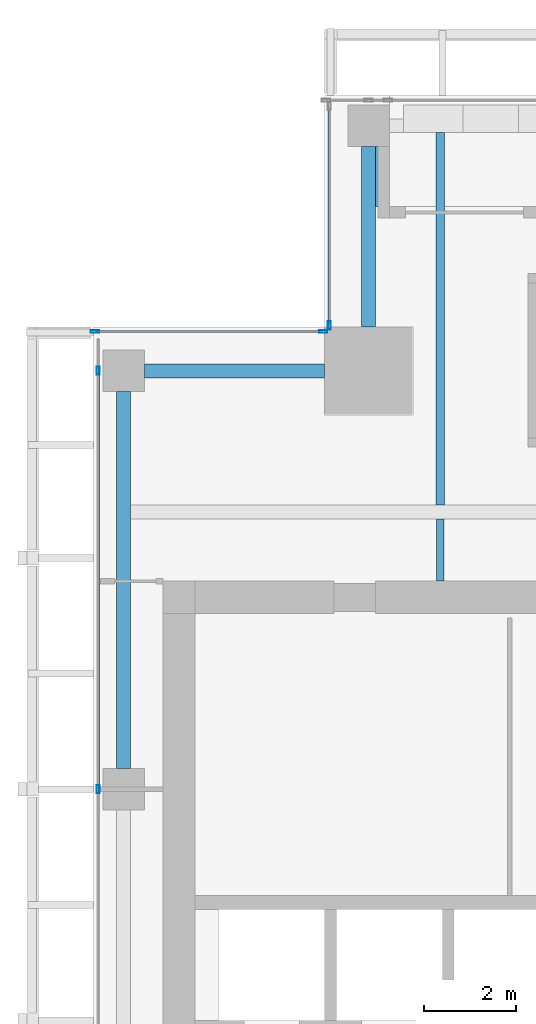
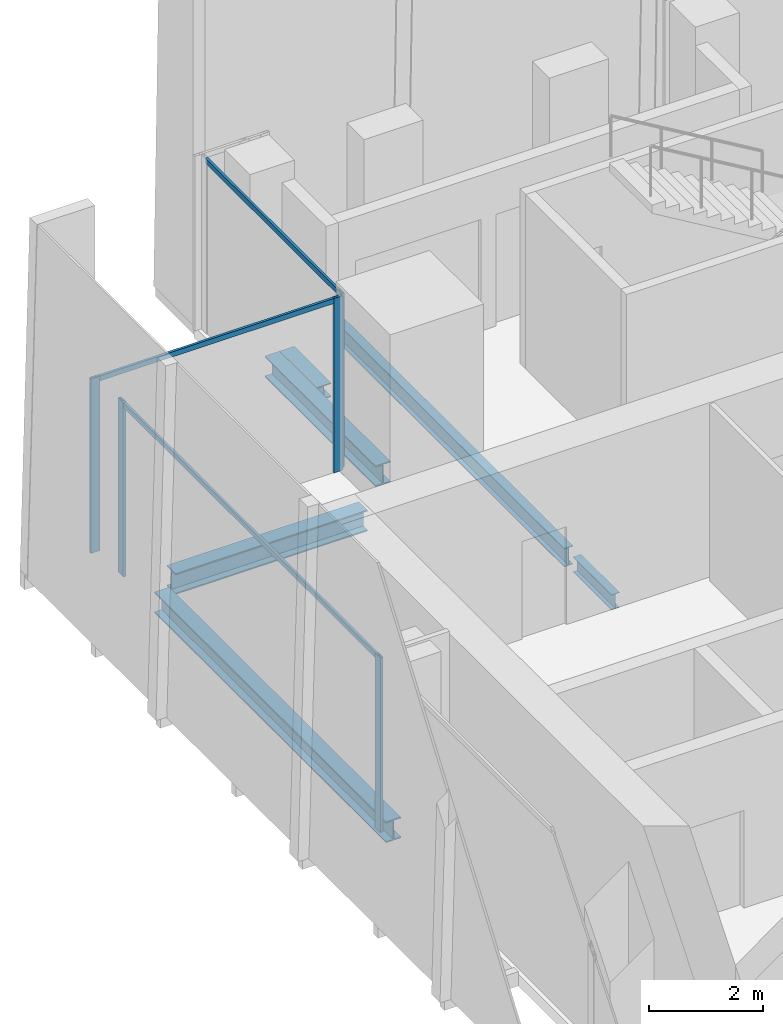
# One storey, part 14 of 35: 8 members, 6 beams, 3 elements without a shape of their own.
"""IFC4 building model written with IfcOpenShell, lengths in metres."""

from ifc_helpers import new_model, si_unit, direction, frame, origin, origin_2d, place, context, subcontext, project, spatial, hollow_rectangle, i_section, extrude, source, transform, mapped, material, material_profile, profile_set, type_object, element, aggregate, save


model = new_model("IFC4")

# Units and contexts
model_context = context("Model", 3, precision=1e-05, world=origin(), true_north=direction((0.0, 1.0)))
body_context = subcontext(model_context, "Body", "Model", "MODEL_VIEW")
ifc_project = project(units=[si_unit("LENGTHUNIT", "METRE"), si_unit("AREAUNIT", "SQUARE_METRE"), si_unit("VOLUMEUNIT", "CUBIC_METRE"), si_unit("PLANEANGLEUNIT", "RADIAN"), si_unit("MASSUNIT", "GRAM", prefix="KILO")], contexts=[model_context])

# Site, building, storey
site_placement = place(None, origin())
site = spatial("IfcSite", under=ifc_project, at=site_placement, CompositionType="ELEMENT")
building_placement = place(site_placement, origin())
building = spatial("IfcBuilding", under=site, at=building_placement, Name="Khomas Fold Tower", CompositionType="ELEMENT")
storey_placement = place(building_placement, frame((0.0, 0.0, 266.199951171875)))
storey = spatial("IfcBuildingStorey", under=building, at=storey_placement, Name="L60", CompositionType="ELEMENT", Elevation=266.199951171875)

# Beams
ifc_material_1 = material(Name="Steel S355", Category="steel")
ifc_material_profile_1 = material_profile(ifc_material_1, i_section(OverallWidth=0.159912109375, OverallDepth=0.330078125, WebThickness=0.007568359375, FlangeThickness=0.011474609375, at=origin_2d()), Name="IPE 330")
ifc_profile_set_1 = profile_set([ifc_material_profile_1], Name="Steel S355")
beam_type_1 = type_object("IfcBeamType", Name="IPE 330 beam JB1", PredefinedType="BEAM", material=ifc_profile_set_1)
shared_shape_1 = source(origin(), body_context, "Body", "SweptSolid", [
    extrude(i_section(OverallWidth=0.159912109375, OverallDepth=0.330078125, WebThickness=0.007568359375, FlangeThickness=0.011474609375, at=origin_2d()), origin(), (0.0, 0.0, 1.0), 1.35009765625),
])
beam_1_placement = place(storey_placement, frame((12.0, 39.0, -0.4150390625), z_axis=(0.0, 1.0, 0.0), x_axis=(-1.0, 0.0, 0.0)))
element("IfcBeam", 1, at=beam_1_placement, inside=storey, type_object=beam_type_1, Name="JB1", PredefinedType="BEAM", context=body_context, shape_type="MappedRepresentation", body=[
    mapped(shared_shape_1, transform((0.0, 0.0, 0.0))),
])
ifc_material_2 = material(Name="Steel S355", Category="steel")
ifc_material_profile_2 = material_profile(ifc_material_2, i_section(OverallWidth=0.300048828125, OverallDepth=0.449951171875, WebThickness=0.013916015625, FlangeThickness=0.02587890625, at=origin_2d()), Name="HE 450 B")
ifc_profile_set_2 = profile_set([ifc_material_profile_2], Name="Steel S355")
beam_type_2 = type_object("IfcBeamType", Name="HE 450 B spandrel SB4", PredefinedType="SPANDREL", material=ifc_profile_set_2)
shared_shape_2 = source(origin(), body_context, "Body", "SweptSolid", [
    extrude(i_section(OverallWidth=0.300048828125, OverallDepth=0.449951171875, WebThickness=0.013916015625, FlangeThickness=0.02587890625, at=origin_2d()), origin(), (0.0, 0.0, 1.0), 8.150146484375),
])
beam_2_placement = place(storey_placement, frame((5.14990234375, 34.949951171875, -0.474853515625), z_axis=(0.0, 1.0, 0.0), x_axis=(-1.0, 0.0, 0.0)))
element("IfcBeam", 2, at=beam_2_placement, inside=storey, type_object=beam_type_2, Name="SB4", PredefinedType="SPANDREL", context=body_context, shape_type="MappedRepresentation", body=[
    mapped(shared_shape_2, transform((0.0, 0.0, 0.0))),
])
shared_shape_3 = source(origin(), body_context, "Body", "SweptSolid", [
    extrude(i_section(OverallWidth=0.300048828125, OverallDepth=0.449951171875, WebThickness=0.013916015625, FlangeThickness=0.02587890625, at=origin_2d()), origin(), (0.0, 0.0, 1.0), 3.89990234375),
])
for number, where, z_axis, x_axis, name in (
    (3, (10.449951171875, 44.5, -0.474853515625), (0.0, 1.0, 0.0), (-1.0, 0.0, 0.0), "SB4"),
    (4, (5.60009765625, 43.550048828125, -0.474853515625), (1.0, 0.0, 0.0), (0.0, 1.0, 0.0), "SB4"),
):
    element("IfcBeam", number, at=place(storey_placement, frame(where, z_axis=z_axis, x_axis=x_axis)), inside=storey, type_object=beam_type_2, Name=name, PredefinedType="SPANDREL", context=body_context, shape_type="MappedRepresentation", body=[
        mapped(shared_shape_3, transform((0.0, 0.0, 0.0))),
    ])
ifc_material_3 = material(Name="Steel S355", Category="steel")
ifc_material_profile_3 = material_profile(ifc_material_3, i_section(OverallWidth=0.179931640625, OverallDepth=0.39990234375, WebThickness=0.008544921875, FlangeThickness=0.013427734375, at=origin_2d()), Name="IPE 400")
ifc_profile_set_3 = profile_set([ifc_material_profile_3], Name="Steel S355")
beam_type_3 = type_object("IfcBeamType", Name="IPE 400 beam JB3", PredefinedType="BEAM", material=ifc_profile_set_3)
shared_shape_4 = source(origin(), body_context, "Body", "SweptSolid", [
    extrude(i_section(OverallWidth=0.179931640625, OverallDepth=0.39990234375, WebThickness=0.008544921875, FlangeThickness=0.013427734375, at=origin_2d()), origin(), (0.0, 0.0, 1.0), 8.050048828125),
])
beam_3_placement = place(storey_placement, frame((12.0, 40.64990234375, -0.449951171875), z_axis=(0.0, 1.0, 0.0), x_axis=(-1.0, 0.0, 0.0)))
element("IfcBeam", 5, at=beam_3_placement, inside=storey, type_object=beam_type_3, Name="JB3", PredefinedType="BEAM", context=body_context, shape_type="MappedRepresentation", body=[
    mapped(shared_shape_4, transform((0.0, 0.0, 0.0))),
])
ifc_material_4 = material(Name="Steel S355", Category="steel")
ifc_material_profile_4 = material_profile(ifc_material_4, i_section(OverallWidth=0.300048828125, OverallDepth=0.300048828125, WebThickness=0.010986328125, FlangeThickness=0.01904296875, at=origin_2d()), Name="HE 300 B")
ifc_profile_set_4 = profile_set([ifc_material_profile_4], Name="Steel S355")
beam_type_4 = type_object("IfcBeamType", Name="HE 300 B beam BB1", PredefinedType="BEAM", material=ifc_profile_set_4)
shared_shape_5 = source(origin(), body_context, "Body", "SweptSolid", [
    extrude(i_section(OverallWidth=0.300048828125, OverallDepth=0.300048828125, WebThickness=0.010986328125, FlangeThickness=0.01904296875, at=origin_2d()), origin(), (0.0, 0.0, 1.0), 1.2998046875),
])
beam_4_placement = place(storey_placement, frame((10.75, 47.10009765625, -0.39990234375), z_axis=(0.0, 1.0, 0.0), x_axis=(-1.0, 0.0, 0.0)))
element("IfcBeam", 6, at=beam_4_placement, inside=storey, type_object=beam_type_4, Name="BB1", PredefinedType="BEAM", context=body_context, shape_type="MappedRepresentation", body=[
    mapped(shared_shape_5, transform((0.0, 0.0, 0.0))),
])

# Curtain wall, member
ifc_material_5 = material(Name="Aluminium framed double glazing", Category="aluminium")
curtain_wall_type = type_object("IfcCurtainWallType", Name="SK-Unitised clear-glass wall, office floors CW2", PredefinedType="NOTDEFINED", material=ifc_material_5)
curtain_wall_1_placement = place(storey_placement, origin())
curtain_wall_1 = element("IfcCurtainWall", 7, at=curtain_wall_1_placement, inside=storey, type_object=curtain_wall_type, Name="CW2 corner return L60 07", PredefinedType="NOTDEFINED")
ifc_material_6 = material(Name="Aluminium", Category="aluminium")
ifc_material_profile_5 = material_profile(ifc_material_6, hollow_rectangle(XDim=0.06005859375, YDim=0.179931640625, WallThickness=0.00390625, at=origin_2d()), Name="SK-Unitised clear-glass wall, office floors mullion CW2-M")
ifc_profile_set_5 = profile_set([ifc_material_profile_5], Name="Aluminium")
member_type_1 = type_object("IfcMemberType", Name="SK-Unitised clear-glass wall, office floors mullion CW2-M", PredefinedType="MULLION", material=ifc_profile_set_5)
shared_shape_6 = source(origin(), body_context, "Body", "SweptSolid", [
    extrude(hollow_rectangle(XDim=0.06005859375, YDim=0.179931640625, WallThickness=0.00390625, at=origin_2d()), origin(), (0.0, 0.0, 1.0), 3.75),
])
member_1_placement = place(storey_placement, frame((9.60009765625, 44.530029296875, 0.0), z_axis=(0.0, 0.0, 1.0), x_axis=(1.0, 0.0, 0.0)))
member_1 = element("IfcMember", 8, at=member_1_placement, type_object=member_type_1, Name="CW2 mullion 2", PredefinedType="MULLION", context=body_context, shape_type="MappedRepresentation", body=[
    mapped(shared_shape_6, transform((0.0, 0.0, 0.0))),
])

# Curtain wall, members
curtain_wall_2_placement = place(storey_placement, origin())
curtain_wall_2 = element("IfcCurtainWall", 9, at=curtain_wall_2_placement, inside=storey, type_object=curtain_wall_type, Name="CW2 corner return L60 08", PredefinedType="NOTDEFINED")
member_2_placement = place(storey_placement, frame((9.469970703125, 44.39990234375, 0.0), z_axis=(0.0, 0.0, 1.0), x_axis=(0.0, -1.0, 0.0)))
member_2 = element("IfcMember", 10, at=member_2_placement, type_object=member_type_1, Name="CW2 mullion 1", PredefinedType="MULLION", context=body_context, shape_type="MappedRepresentation", body=[
    mapped(shared_shape_6, transform((0.0, 0.0, 0.0))),
])
member_3_placement = place(storey_placement, frame((4.530029296875, 44.39990234375, 0.0), z_axis=(0.0, 0.0, 1.0), x_axis=(0.0, -1.0, 0.0)))
member_3 = element("IfcMember", 11, at=member_3_placement, type_object=member_type_1, Name="CW2 mullion 2", PredefinedType="MULLION", context=body_context, shape_type="MappedRepresentation", body=[
    mapped(shared_shape_6, transform((0.0, 0.0, 0.0))),
])

curtain_wall_3_placement = place(storey_placement, origin())
curtain_wall_3 = element("IfcCurtainWall", 12, at=curtain_wall_3_placement, inside=storey, type_object=curtain_wall_type, Name="CW2 run L60 09-0", PredefinedType="NOTDEFINED")
member_4_placement = place(storey_placement, frame((4.60009765625, 43.550048828125, 0.0), z_axis=(0.0, 0.0, 1.0), x_axis=(1.0, 0.0, 0.0)))
member_4 = element("IfcMember", 13, at=member_4_placement, type_object=member_type_1, Name="CW2 mullion 2", PredefinedType="MULLION", context=body_context, shape_type="MappedRepresentation", body=[
    mapped(shared_shape_6, transform((0.0, 0.0, 0.0))),
])
member_5_placement = place(storey_placement, frame((4.60009765625, 34.5, 0.0), z_axis=(0.0, 0.0, 1.0), x_axis=(1.0, 0.0, 0.0)))
member_5 = element("IfcMember", 14, at=member_5_placement, type_object=member_type_1, Name="CW2 mullion 3", PredefinedType="MULLION", context=body_context, shape_type="MappedRepresentation", body=[
    mapped(shared_shape_6, transform((0.0, 0.0, 0.0))),
])
ifc_material_7 = material(Name="Aluminium", Category="aluminium")
ifc_material_profile_6 = material_profile(ifc_material_7, hollow_rectangle(XDim=0.050048828125, YDim=0.110107421875, WallThickness=0.00390625, at=origin_2d()), Name="SK-Unitised clear-glass wall, office floors transom CW2-T")
ifc_profile_set_6 = profile_set([ifc_material_profile_6], Name="Aluminium")
member_type_2 = type_object("IfcMemberType", Name="SK-Unitised clear-glass wall, office floors transom CW2-T", PredefinedType="USERDEFINED", material=ifc_profile_set_6)
shared_shape_7 = source(origin(), body_context, "Body", "SweptSolid", [
    extrude(hollow_rectangle(XDim=0.050048828125, YDim=0.110107421875, WallThickness=0.00390625, at=origin_2d()), origin(), (0.0, 0.0, 1.0), 8.989990234375),
])
member_6_placement = place(storey_placement, frame((4.60009765625, 43.52001953125, 3.695068359375), z_axis=(0.0, -1.0, 0.0), x_axis=(1.0, 0.0, 0.0)))
member_6 = element("IfcMember", 15, at=member_6_placement, type_object=member_type_2, Name="CW2 transom 2", ObjectType="TRANSOM", PredefinedType="USERDEFINED", context=body_context, shape_type="MappedRepresentation", body=[
    mapped(shared_shape_7, transform((0.0, 0.0, 0.0))),
])
aggregate(curtain_wall_3, [member_4, member_5, member_6])

# Member
shared_shape_8 = source(origin(), body_context, "Body", "SweptSolid", [
    extrude(hollow_rectangle(XDim=0.050048828125, YDim=0.110107421875, WallThickness=0.00390625, at=origin_2d()), origin(), (0.0, 0.0, 1.0), 4.679931640625),
])
member_7_placement = place(storey_placement, frame((9.60009765625, 49.239990234375, 3.695068359375), z_axis=(0.0, -1.0, 0.0), x_axis=(1.0, 0.0, 0.0)))
member_7 = element("IfcMember", 16, at=member_7_placement, type_object=member_type_2, Name="CW2 transom 1", ObjectType="TRANSOM", PredefinedType="USERDEFINED", context=body_context, shape_type="MappedRepresentation", body=[
    mapped(shared_shape_8, transform((0.0, 0.0, 0.0))),
])

aggregate(curtain_wall_1, [member_1, member_7])

shared_shape_9 = source(origin(), body_context, "Body", "SweptSolid", [
    extrude(hollow_rectangle(XDim=0.050048828125, YDim=0.110107421875, WallThickness=0.00390625, at=origin_2d()), origin(), (0.0, 0.0, 1.0), 4.8798828125),
])
member_8_placement = place(storey_placement, frame((9.43994140625, 44.39990234375, 3.695068359375), z_axis=(-1.0, 0.0, 0.0), x_axis=(0.0, -1.0, 0.0)))
member_8 = element("IfcMember", 17, at=member_8_placement, type_object=member_type_2, Name="CW2 transom 1", ObjectType="TRANSOM", PredefinedType="USERDEFINED", context=body_context, shape_type="MappedRepresentation", body=[
    mapped(shared_shape_9, transform((0.0, 0.0, 0.0))),
])

aggregate(curtain_wall_2, [member_2, member_3, member_8])

save(model, "model.ifc")
